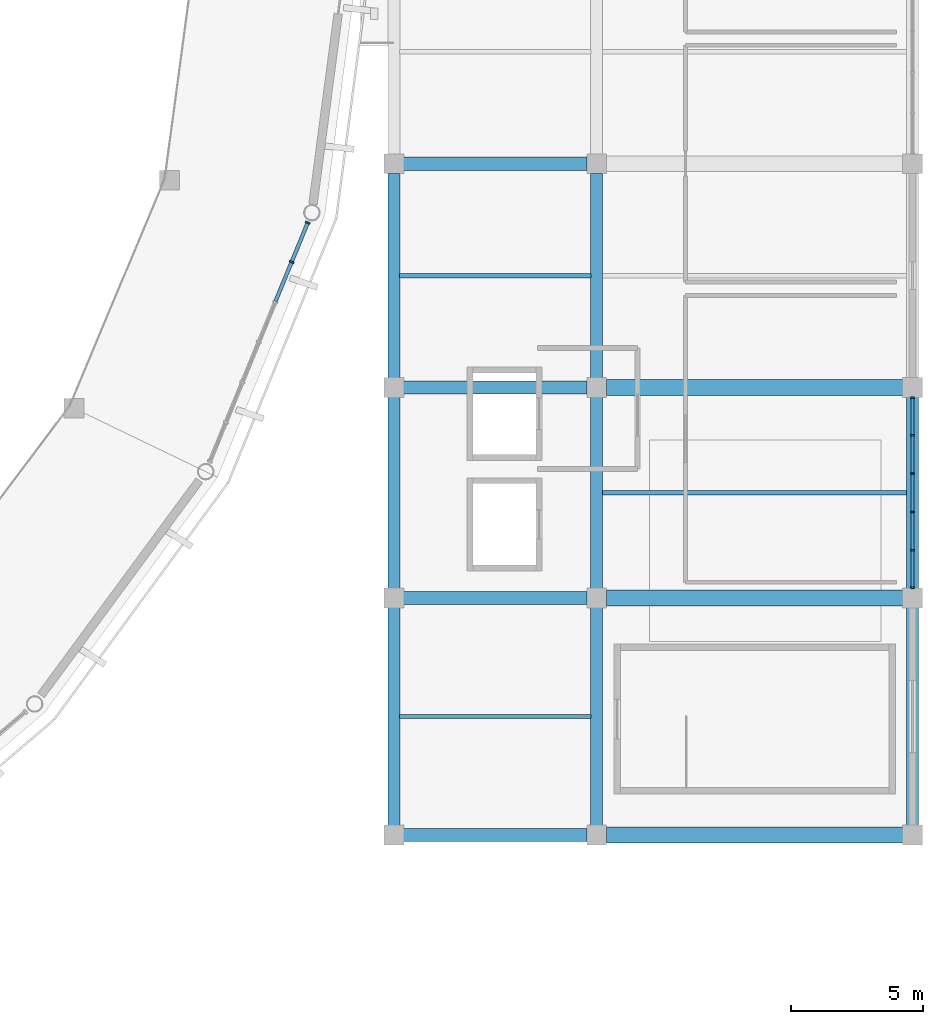
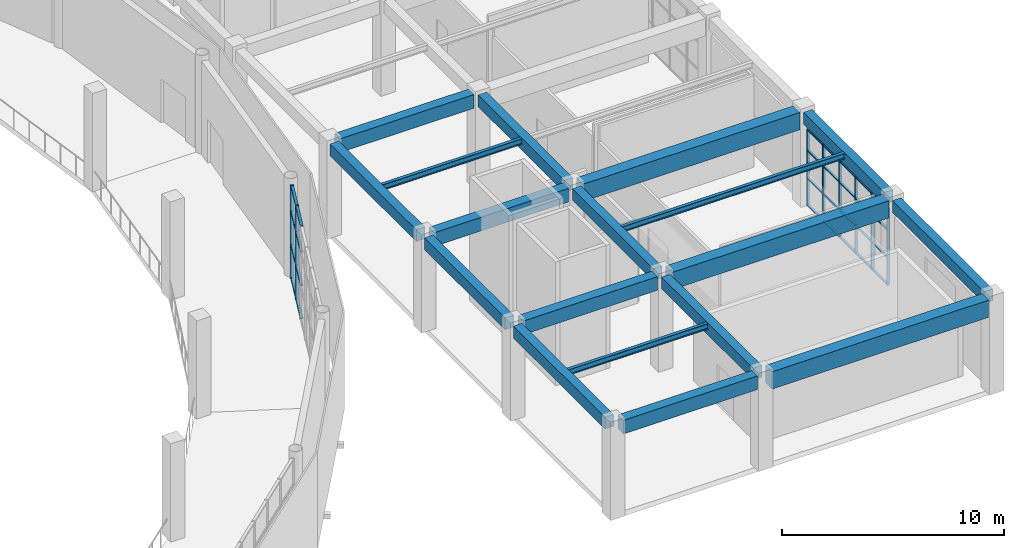
# One storey, part 21 of 40: 36 members, 18 beams, 2 elements without a shape of their own.
"""IFC4 building model written with IfcOpenShell, lengths in metres."""

from ifc_helpers import new_model, si_unit, direction, frame, origin, origin_2d, place, context, subcontext, project, spatial, rectangle, i_section, extrude, material, material_profile, profile_set, type_object, element, aggregate, save


model = new_model("IFC4")

# Units and contexts
model_context = context("Model", 3, precision=1e-05, world=origin(), true_north=direction((0.0, 1.0)))
body_context = subcontext(model_context, "Body", "Model", "MODEL_VIEW")
ifc_project = project(units=[si_unit("LENGTHUNIT", "METRE"), si_unit("AREAUNIT", "SQUARE_METRE"), si_unit("VOLUMEUNIT", "CUBIC_METRE"), si_unit("PLANEANGLEUNIT", "RADIAN"), si_unit("MASSUNIT", "GRAM", prefix="KILO")], contexts=[model_context])

# Site, building, storey
site_placement = place(None, origin())
site = spatial("IfcSite", under=ifc_project, at=site_placement, CompositionType="ELEMENT")
building_placement = place(site_placement, origin())
building = spatial("IfcBuilding", under=site, at=building_placement, Name="Cuetzalor Civic Arena", CompositionType="ELEMENT")
storey_placement = place(building_placement, frame((0.0, 0.0, 26.39990234375)))
storey = spatial("IfcBuildingStorey", under=building, at=storey_placement, Name="L05", CompositionType="ELEMENT", Elevation=26.39990234375)

# Beams
ifc_material_1 = material(Name="Concrete C40/50", Category="concrete")
ifc_material_profile_1 = material_profile(ifc_material_1, rectangle(XDim=0.5, YDim=0.75, at=origin_2d()), Name="RC 500x750")
ifc_profile_set_1 = profile_set([ifc_material_profile_1], Name="Concrete C40/50")
beam_type_1 = type_object("IfcBeamType", Name="ConcreteFrameBeam_500x750", PredefinedType="BEAM", material=ifc_profile_set_1)
for number, where, z_axis, x_axis, name in (
    (1, (56.6650390625, -34.0, 4.80517578125), (1.0, 0.0, 0.0), (0.0, 1.0, 0.0), "Frame Girder V4E-L05-X1244"),
    (2, (56.6650390625, -25.0, 4.80517578125), (1.0, 0.0, 0.0), (0.0, 1.0, 0.0), "Frame Girder V4E-L05-X1246"),
    (3, (56.6650390625, -17.0, 4.80517578125), (1.0, 0.0, 0.0), (0.0, 1.0, 0.0), "Frame Girder V4E-L05-X1248"),
    (4, (56.6650390625, -8.5, 4.80517578125), (1.0, 0.0, 0.0), (0.0, 1.0, 0.0), "Frame Girder V4E-L05-X1250"),
):
    element("IfcBeam", number, at=place(storey_placement, frame(where, z_axis=z_axis, x_axis=x_axis)), inside=storey, type_object=beam_type_1, Name=name, PredefinedType="BEAM", context=body_context, shape_type="SweptSolid", body=[
        extrude(rectangle(XDim=0.5, YDim=0.75, at=origin_2d()), origin(), (0.0, 0.0, 1.0), 6.969970703125),
    ])
ifc_material_2 = material(Name="Concrete C40/50", Category="concrete")
ifc_material_profile_2 = material_profile(ifc_material_2, rectangle(XDim=0.60009765625, YDim=0.949951171875, at=origin_2d()), Name="RC 600x950")
ifc_profile_set_2 = profile_set([ifc_material_profile_2], Name="Concrete C40/50")
beam_type_2 = type_object("IfcBeamType", Name="ConcreteFrameBeam_600x950", PredefinedType="BEAM", material=ifc_profile_set_2)
for number, where, z_axis, x_axis, name in (
    (5, (64.364990234375, -34.0, 4.705078125), (1.0, 0.0, 0.0), (0.0, 1.0, 0.0), "Frame Girder V4E-L05-X1245"),
    (6, (64.364990234375, -25.0, 4.705078125), (1.0, 0.0, 0.0), (0.0, 1.0, 0.0), "Frame Girder V4E-L05-X1247"),
    (7, (64.364990234375, -17.0, 4.705078125), (1.0, 0.0, 0.0), (0.0, 1.0, 0.0), "Frame Girder V4E-L05-X1249"),
):
    element("IfcBeam", number, at=place(storey_placement, frame(where, z_axis=z_axis, x_axis=x_axis)), inside=storey, type_object=beam_type_2, Name=name, PredefinedType="BEAM", context=body_context, shape_type="SweptSolid", body=[
        extrude(rectangle(XDim=0.60009765625, YDim=0.949951171875, at=origin_2d()), origin(), (0.0, 0.0, 1.0), 11.27001953125),
    ])
ifc_material_3 = material(Name="Concrete C40/50", Category="concrete")
ifc_material_profile_3 = material_profile(ifc_material_3, rectangle(XDim=0.449951171875, YDim=0.64990234375, at=origin_2d()), Name="RC 450x650")
ifc_profile_set_3 = profile_set([ifc_material_profile_3], Name="Concrete C40/50")
beam_type_3 = type_object("IfcBeamType", Name="ConcreteTieBeam_450x650", PredefinedType="BEAM", material=ifc_profile_set_3)
beam_1_placement = place(storey_placement, frame((56.300048828125, -33.635009765625, 4.85498046875), z_axis=(0.0, 1.0, 0.0), x_axis=(-1.0, 0.0, 0.0)))
element("IfcBeam", 8, at=beam_1_placement, inside=storey, type_object=beam_type_3, Name="Frame Girder V4E-L05-Y1260", PredefinedType="BEAM", context=body_context, shape_type="SweptSolid", body=[
    extrude(rectangle(XDim=0.449951171875, YDim=0.64990234375, at=origin_2d()), origin(), (0.0, 0.0, 1.0), 8.27001953125),
])
beam_2_placement = place(storey_placement, frame((56.300048828125, -24.635009765625, 4.85498046875), z_axis=(0.0, 1.0, 0.0), x_axis=(-1.0, 0.0, 0.0)))
element("IfcBeam", 9, at=beam_2_placement, inside=storey, type_object=beam_type_3, Name="Frame Girder V4E-L05-Y1261", PredefinedType="BEAM", context=body_context, shape_type="SweptSolid", body=[
    extrude(rectangle(XDim=0.449951171875, YDim=0.64990234375, at=origin_2d()), origin(), (0.0, 0.0, 1.0), 7.27001953125),
])
beam_3_placement = place(storey_placement, frame((56.300048828125, -16.635009765625, 4.85498046875), z_axis=(0.0, 1.0, 0.0), x_axis=(-1.0, 0.0, 0.0)))
element("IfcBeam", 10, at=beam_3_placement, inside=storey, type_object=beam_type_3, Name="Frame Girder V4E-L05-Y1262", PredefinedType="BEAM", context=body_context, shape_type="SweptSolid", body=[
    extrude(rectangle(XDim=0.449951171875, YDim=0.64990234375, at=origin_2d()), origin(), (0.0, 0.0, 1.0), 7.77001953125),
])
beam_4_placement = place(storey_placement, frame((64.0, -33.635009765625, 4.85498046875), z_axis=(0.0, 1.0, 0.0), x_axis=(-1.0, 0.0, 0.0)))
element("IfcBeam", 11, at=beam_4_placement, inside=storey, type_object=beam_type_3, Name="Frame Girder V4E-L05-Y1267", PredefinedType="BEAM", context=body_context, shape_type="SweptSolid", body=[
    extrude(rectangle(XDim=0.449951171875, YDim=0.64990234375, at=origin_2d()), origin(), (0.0, 0.0, 1.0), 8.27001953125),
])
beam_5_placement = place(storey_placement, frame((64.0, -24.635009765625, 4.85498046875), z_axis=(0.0, 1.0, 0.0), x_axis=(-1.0, 0.0, 0.0)))
element("IfcBeam", 12, at=beam_5_placement, inside=storey, type_object=beam_type_3, Name="Frame Girder V4E-L05-Y1268", PredefinedType="BEAM", context=body_context, shape_type="SweptSolid", body=[
    extrude(rectangle(XDim=0.449951171875, YDim=0.64990234375, at=origin_2d()), origin(), (0.0, 0.0, 1.0), 7.27001953125),
])
beam_6_placement = place(storey_placement, frame((64.0, -16.635009765625, 4.85498046875), z_axis=(0.0, 1.0, 0.0), x_axis=(-1.0, 0.0, 0.0)))
element("IfcBeam", 13, at=beam_6_placement, inside=storey, type_object=beam_type_3, Name="Frame Girder V4E-L05-Y1269", PredefinedType="BEAM", context=body_context, shape_type="SweptSolid", body=[
    extrude(rectangle(XDim=0.449951171875, YDim=0.64990234375, at=origin_2d()), origin(), (0.0, 0.0, 1.0), 7.77001953125),
])
beam_7_placement = place(storey_placement, frame((76.0, -33.635009765625, 4.85498046875), z_axis=(0.0, 1.0, 0.0), x_axis=(-1.0, 0.0, 0.0)))
element("IfcBeam", 14, at=beam_7_placement, inside=storey, type_object=beam_type_3, Name="Frame Girder V4E-L05-Y1274", PredefinedType="BEAM", context=body_context, shape_type="SweptSolid", body=[
    extrude(rectangle(XDim=0.449951171875, YDim=0.64990234375, at=origin_2d()), origin(), (0.0, 0.0, 1.0), 8.27001953125),
])
beam_8_placement = place(storey_placement, frame((76.0, -24.635009765625, 4.85498046875), z_axis=(0.0, 1.0, 0.0), x_axis=(-1.0, 0.0, 0.0)))
element("IfcBeam", 15, at=beam_8_placement, inside=storey, type_object=beam_type_3, Name="Frame Girder V4E-L05-Y1275", PredefinedType="BEAM", context=body_context, shape_type="SweptSolid", body=[
    extrude(rectangle(XDim=0.449951171875, YDim=0.64990234375, at=origin_2d()), origin(), (0.0, 0.0, 1.0), 7.27001953125),
])

# Curtain wall, members
ifc_material_4 = material(Name="Anodised dark bronze aluminium and low-E solar glass", Category="aluminium")
curtain_wall_type_1 = type_object("IfcCurtainWallType", Name="UnitisedCW_7300x4200", PredefinedType="USERDEFINED", material=ifc_material_4)
curtain_wall_1_placement = place(storey_placement, origin())
curtain_wall_1 = element("IfcCurtainWall", 16, at=curtain_wall_1_placement, inside=storey, type_object=curtain_wall_type_1, Name="V4E Media Broadcast Curtain Wall L05-154", ObjectType="UNITISED CURTAIN WALL", PredefinedType="USERDEFINED")
ifc_material_5 = material(Name="Anodised dark bronze aluminium", Category="aluminium")
ifc_material_profile_4 = material_profile(ifc_material_5, rectangle(XDim=0.06494140625, YDim=0.14990234375, at=origin_2d()), Name="ALU MULLION 65x150")
ifc_profile_set_4 = profile_set([ifc_material_profile_4], Name="Anodised dark bronze aluminium")
member_type_1 = type_object("IfcMemberType", Name="CurtainWallMullion_60x150", PredefinedType="MULLION", material=ifc_profile_set_4)
member_1_placement = place(storey_placement, frame((76.0, -17.389404296875, 0.0), z_axis=(0.0, 0.0, 1.0), x_axis=(0.0, -1.0, 0.0)))
member_1 = element("IfcMember", 17, at=member_1_placement, type_object=member_type_1, Name="CW-49 mullion 1", PredefinedType="MULLION", context=body_context, shape_type="SweptSolid", body=[
    extrude(rectangle(XDim=0.06494140625, YDim=0.14990234375, at=origin_2d()), origin(), (0.0, 0.0, 1.0), 4.22021484375),
])
member_2_placement = place(storey_placement, frame((76.0, -18.814208984375, 0.0), z_axis=(0.0, 0.0, 1.0), x_axis=(0.0, -1.0, 0.0)))
member_2 = element("IfcMember", 18, at=member_2_placement, type_object=member_type_1, Name="CW-49 mullion 2", PredefinedType="MULLION", context=body_context, shape_type="SweptSolid", body=[
    extrude(rectangle(XDim=0.06494140625, YDim=0.14990234375, at=origin_2d()), origin(), (0.0, 0.0, 1.0), 4.22021484375),
])
member_3_placement = place(storey_placement, frame((76.0, -20.271484375, 0.0), z_axis=(0.0, 0.0, 1.0), x_axis=(0.0, -1.0, 0.0)))
member_3 = element("IfcMember", 19, at=member_3_placement, type_object=member_type_1, Name="CW-49 mullion 3", PredefinedType="MULLION", context=body_context, shape_type="SweptSolid", body=[
    extrude(rectangle(XDim=0.06494140625, YDim=0.14990234375, at=origin_2d()), origin(), (0.0, 0.0, 1.0), 4.22021484375),
])
member_4_placement = place(storey_placement, frame((76.0, -21.728515625, 0.0), z_axis=(0.0, 0.0, 1.0), x_axis=(0.0, -1.0, 0.0)))
member_4 = element("IfcMember", 20, at=member_4_placement, type_object=member_type_1, Name="CW-49 mullion 4", PredefinedType="MULLION", context=body_context, shape_type="SweptSolid", body=[
    extrude(rectangle(XDim=0.06494140625, YDim=0.14990234375, at=origin_2d()), origin(), (0.0, 0.0, 1.0), 4.22021484375),
])
member_5_placement = place(storey_placement, frame((76.0, -23.185791015625, 0.0), z_axis=(0.0, 0.0, 1.0), x_axis=(0.0, -1.0, 0.0)))
member_5 = element("IfcMember", 21, at=member_5_placement, type_object=member_type_1, Name="CW-49 mullion 5", PredefinedType="MULLION", context=body_context, shape_type="SweptSolid", body=[
    extrude(rectangle(XDim=0.06494140625, YDim=0.14990234375, at=origin_2d()), origin(), (0.0, 0.0, 1.0), 4.22021484375),
])
member_6_placement = place(storey_placement, frame((76.0, -24.610595703125, 0.0), z_axis=(0.0, 0.0, 1.0), x_axis=(0.0, -1.0, 0.0)))
member_6 = element("IfcMember", 22, at=member_6_placement, type_object=member_type_1, Name="CW-49 mullion 6", PredefinedType="MULLION", context=body_context, shape_type="SweptSolid", body=[
    extrude(rectangle(XDim=0.06494140625, YDim=0.14990234375, at=origin_2d()), origin(), (0.0, 0.0, 1.0), 4.22021484375),
])

ifc_material_6 = material(Name="Anodised dark bronze aluminium and low-E solar glass", Category="aluminium")
curtain_wall_type_2 = type_object("IfcCurtainWallType", Name="UnitisedCW_9850x5150", PredefinedType="USERDEFINED", material=ifc_material_6)
curtain_wall_2_placement = place(storey_placement, origin())
curtain_wall_2 = element("IfcCurtainWall", 23, at=curtain_wall_2_placement, inside=storey, type_object=curtain_wall_type_2, Name="Drum Triangle Foyer Curtain Wall L05-080", ObjectType="UNITISED CURTAIN WALL", PredefinedType="USERDEFINED")
ifc_material_7 = material(Name="Anodised dark bronze aluminium", Category="aluminium")
ifc_material_profile_5 = material_profile(ifc_material_7, rectangle(XDim=0.070068359375, YDim=0.179931640625, at=origin_2d()), Name="ALU MULLION 70x180")
ifc_profile_set_5 = profile_set([ifc_material_profile_5], Name="Anodised dark bronze aluminium")
member_type_2 = type_object("IfcMemberType", Name="CurtainWallMullion_65x180", PredefinedType="MULLION", material=ifc_profile_set_5)
member_7_placement = place(storey_placement, frame((53.02490234375, -10.7421875, 0.0), z_axis=(0.0, 0.0, 1.0), x_axis=(-0.379391428583, -0.925236263836, 0.0)))
member_7 = element("IfcMember", 24, at=member_7_placement, type_object=member_type_2, Name="CW-23 mullion 1", PredefinedType="MULLION", context=body_context, shape_type="SweptSolid", body=[
    extrude(rectangle(XDim=0.070068359375, YDim=0.179931640625, at=origin_2d()), origin(), (0.0, 0.0, 1.0), 5.135986328125),
])
member_8_placement = place(storey_placement, frame((52.413818359375, -12.232421875, 0.0), z_axis=(0.0, 0.0, 1.0), x_axis=(-0.379391428583, -0.925236263836, 0.0)))
member_8 = element("IfcMember", 25, at=member_8_placement, type_object=member_type_2, Name="CW-23 mullion 2", PredefinedType="MULLION", context=body_context, shape_type="SweptSolid", body=[
    extrude(rectangle(XDim=0.070068359375, YDim=0.179931640625, at=origin_2d()), origin(), (0.0, 0.0, 1.0), 5.135986328125),
])

# Member
ifc_material_8 = material(Name="Anodised dark bronze aluminium", Category="aluminium")
ifc_material_profile_6 = material_profile(ifc_material_8, rectangle(XDim=0.1201171875, YDim=0.06494140625, at=origin_2d()), Name="ALU TRANSOM 65x120")
ifc_profile_set_6 = profile_set([ifc_material_profile_6], Name="Anodised dark bronze aluminium")
member_type_3 = type_object("IfcMemberType", Name="CurtainWallTransom_60x120", PredefinedType="USERDEFINED", material=ifc_profile_set_6)
member_9_placement = place(storey_placement, frame((76.0, -17.422119140625, 0.03271484375), z_axis=(0.0, -1.0, 0.0), x_axis=(1.0, 0.0, 0.0)))
member_9 = element("IfcMember", 26, at=member_9_placement, type_object=member_type_3, Name="CW-49 transom 1.1", ObjectType="TRANSOM", PredefinedType="USERDEFINED", context=body_context, shape_type="SweptSolid", body=[
    extrude(rectangle(XDim=0.1201171875, YDim=0.06494140625, at=origin_2d()), origin(), (0.0, 0.0, 1.0), 1.359619140625),
])

member_10_placement = place(storey_placement, frame((76.0, -17.422119140625, 1.51904296875), z_axis=(0.0, -1.0, 0.0), x_axis=(1.0, 0.0, 0.0)))
member_10 = element("IfcMember", 27, at=member_10_placement, type_object=member_type_3, Name="CW-49 transom 1.2", ObjectType="TRANSOM", PredefinedType="USERDEFINED", context=body_context, shape_type="SweptSolid", body=[
    extrude(rectangle(XDim=0.1201171875, YDim=0.06494140625, at=origin_2d()), origin(), (0.0, 0.0, 1.0), 1.359619140625),
])

member_11_placement = place(storey_placement, frame((76.0, -17.422119140625, 3.0380859375), z_axis=(0.0, -1.0, 0.0), x_axis=(1.0, 0.0, 0.0)))
member_11 = element("IfcMember", 28, at=member_11_placement, type_object=member_type_3, Name="CW-49 transom 1.3", ObjectType="TRANSOM", PredefinedType="USERDEFINED", context=body_context, shape_type="SweptSolid", body=[
    extrude(rectangle(XDim=0.1201171875, YDim=0.06494140625, at=origin_2d()), origin(), (0.0, 0.0, 1.0), 1.359619140625),
])

member_12_placement = place(storey_placement, frame((76.0, -17.422119140625, 4.1875), z_axis=(0.0, -1.0, 0.0), x_axis=(1.0, 0.0, 0.0)))
member_12 = element("IfcMember", 29, at=member_12_placement, type_object=member_type_3, Name="CW-49 transom 1.4", ObjectType="TRANSOM", PredefinedType="USERDEFINED", context=body_context, shape_type="SweptSolid", body=[
    extrude(rectangle(XDim=0.1201171875, YDim=0.06494140625, at=origin_2d()), origin(), (0.0, 0.0, 1.0), 1.359619140625),
])

member_13_placement = place(storey_placement, frame((76.0, -18.8466796875, 0.03271484375), z_axis=(0.0, -1.0, 0.0), x_axis=(1.0, 0.0, 0.0)))
member_13 = element("IfcMember", 30, at=member_13_placement, type_object=member_type_3, Name="CW-49 transom 2.1", ObjectType="TRANSOM", PredefinedType="USERDEFINED", context=body_context, shape_type="SweptSolid", body=[
    extrude(rectangle(XDim=0.1201171875, YDim=0.06494140625, at=origin_2d()), origin(), (0.0, 0.0, 1.0), 1.392333984375),
])

member_14_placement = place(storey_placement, frame((76.0, -18.8466796875, 1.51904296875), z_axis=(0.0, -1.0, 0.0), x_axis=(1.0, 0.0, 0.0)))
member_14 = element("IfcMember", 31, at=member_14_placement, type_object=member_type_3, Name="CW-49 transom 2.2", ObjectType="TRANSOM", PredefinedType="USERDEFINED", context=body_context, shape_type="SweptSolid", body=[
    extrude(rectangle(XDim=0.1201171875, YDim=0.06494140625, at=origin_2d()), origin(), (0.0, 0.0, 1.0), 1.392333984375),
])

member_15_placement = place(storey_placement, frame((76.0, -18.8466796875, 3.0380859375), z_axis=(0.0, -1.0, 0.0), x_axis=(1.0, 0.0, 0.0)))
member_15 = element("IfcMember", 32, at=member_15_placement, type_object=member_type_3, Name="CW-49 transom 2.3", ObjectType="TRANSOM", PredefinedType="USERDEFINED", context=body_context, shape_type="SweptSolid", body=[
    extrude(rectangle(XDim=0.1201171875, YDim=0.06494140625, at=origin_2d()), origin(), (0.0, 0.0, 1.0), 1.392333984375),
])

member_16_placement = place(storey_placement, frame((76.0, -18.8466796875, 4.1875), z_axis=(0.0, -1.0, 0.0), x_axis=(1.0, 0.0, 0.0)))
member_16 = element("IfcMember", 33, at=member_16_placement, type_object=member_type_3, Name="CW-49 transom 2.4", ObjectType="TRANSOM", PredefinedType="USERDEFINED", context=body_context, shape_type="SweptSolid", body=[
    extrude(rectangle(XDim=0.1201171875, YDim=0.06494140625, at=origin_2d()), origin(), (0.0, 0.0, 1.0), 1.392333984375),
])

member_17_placement = place(storey_placement, frame((76.0, -20.303955078125, 0.03271484375), z_axis=(0.0, -1.0, 0.0), x_axis=(1.0, 0.0, 0.0)))
member_17 = element("IfcMember", 34, at=member_17_placement, type_object=member_type_3, Name="CW-49 transom 3.1", ObjectType="TRANSOM", PredefinedType="USERDEFINED", context=body_context, shape_type="SweptSolid", body=[
    extrude(rectangle(XDim=0.1201171875, YDim=0.06494140625, at=origin_2d()), origin(), (0.0, 0.0, 1.0), 1.39208984375),
])

member_18_placement = place(storey_placement, frame((76.0, -20.303955078125, 1.51904296875), z_axis=(0.0, -1.0, 0.0), x_axis=(1.0, 0.0, 0.0)))
member_18 = element("IfcMember", 35, at=member_18_placement, type_object=member_type_3, Name="CW-49 transom 3.2", ObjectType="TRANSOM", PredefinedType="USERDEFINED", context=body_context, shape_type="SweptSolid", body=[
    extrude(rectangle(XDim=0.1201171875, YDim=0.06494140625, at=origin_2d()), origin(), (0.0, 0.0, 1.0), 1.39208984375),
])

member_19_placement = place(storey_placement, frame((76.0, -20.303955078125, 3.0380859375), z_axis=(0.0, -1.0, 0.0), x_axis=(1.0, 0.0, 0.0)))
member_19 = element("IfcMember", 36, at=member_19_placement, type_object=member_type_3, Name="CW-49 transom 3.3", ObjectType="TRANSOM", PredefinedType="USERDEFINED", context=body_context, shape_type="SweptSolid", body=[
    extrude(rectangle(XDim=0.1201171875, YDim=0.06494140625, at=origin_2d()), origin(), (0.0, 0.0, 1.0), 1.39208984375),
])

member_20_placement = place(storey_placement, frame((76.0, -20.303955078125, 4.1875), z_axis=(0.0, -1.0, 0.0), x_axis=(1.0, 0.0, 0.0)))
member_20 = element("IfcMember", 37, at=member_20_placement, type_object=member_type_3, Name="CW-49 transom 3.4", ObjectType="TRANSOM", PredefinedType="USERDEFINED", context=body_context, shape_type="SweptSolid", body=[
    extrude(rectangle(XDim=0.1201171875, YDim=0.06494140625, at=origin_2d()), origin(), (0.0, 0.0, 1.0), 1.39208984375),
])

member_21_placement = place(storey_placement, frame((76.0, -21.760986328125, 0.03271484375), z_axis=(0.0, -1.0, 0.0), x_axis=(1.0, 0.0, 0.0)))
member_21 = element("IfcMember", 38, at=member_21_placement, type_object=member_type_3, Name="CW-49 transom 4.1", ObjectType="TRANSOM", PredefinedType="USERDEFINED", context=body_context, shape_type="SweptSolid", body=[
    extrude(rectangle(XDim=0.1201171875, YDim=0.06494140625, at=origin_2d()), origin(), (0.0, 0.0, 1.0), 1.392333984375),
])

member_22_placement = place(storey_placement, frame((76.0, -21.760986328125, 1.51904296875), z_axis=(0.0, -1.0, 0.0), x_axis=(1.0, 0.0, 0.0)))
member_22 = element("IfcMember", 39, at=member_22_placement, type_object=member_type_3, Name="CW-49 transom 4.2", ObjectType="TRANSOM", PredefinedType="USERDEFINED", context=body_context, shape_type="SweptSolid", body=[
    extrude(rectangle(XDim=0.1201171875, YDim=0.06494140625, at=origin_2d()), origin(), (0.0, 0.0, 1.0), 1.392333984375),
])

member_23_placement = place(storey_placement, frame((76.0, -21.760986328125, 3.0380859375), z_axis=(0.0, -1.0, 0.0), x_axis=(1.0, 0.0, 0.0)))
member_23 = element("IfcMember", 40, at=member_23_placement, type_object=member_type_3, Name="CW-49 transom 4.3", ObjectType="TRANSOM", PredefinedType="USERDEFINED", context=body_context, shape_type="SweptSolid", body=[
    extrude(rectangle(XDim=0.1201171875, YDim=0.06494140625, at=origin_2d()), origin(), (0.0, 0.0, 1.0), 1.392333984375),
])

member_24_placement = place(storey_placement, frame((76.0, -21.760986328125, 4.1875), z_axis=(0.0, -1.0, 0.0), x_axis=(1.0, 0.0, 0.0)))
member_24 = element("IfcMember", 41, at=member_24_placement, type_object=member_type_3, Name="CW-49 transom 4.4", ObjectType="TRANSOM", PredefinedType="USERDEFINED", context=body_context, shape_type="SweptSolid", body=[
    extrude(rectangle(XDim=0.1201171875, YDim=0.06494140625, at=origin_2d()), origin(), (0.0, 0.0, 1.0), 1.392333984375),
])

member_25_placement = place(storey_placement, frame((76.0, -23.21826171875, 0.03271484375), z_axis=(0.0, -1.0, 0.0), x_axis=(1.0, 0.0, 0.0)))
member_25 = element("IfcMember", 42, at=member_25_placement, type_object=member_type_3, Name="CW-49 transom 5.1", ObjectType="TRANSOM", PredefinedType="USERDEFINED", context=body_context, shape_type="SweptSolid", body=[
    extrude(rectangle(XDim=0.1201171875, YDim=0.06494140625, at=origin_2d()), origin(), (0.0, 0.0, 1.0), 1.359619140625),
])

member_26_placement = place(storey_placement, frame((76.0, -23.21826171875, 1.51904296875), z_axis=(0.0, -1.0, 0.0), x_axis=(1.0, 0.0, 0.0)))
member_26 = element("IfcMember", 43, at=member_26_placement, type_object=member_type_3, Name="CW-49 transom 5.2", ObjectType="TRANSOM", PredefinedType="USERDEFINED", context=body_context, shape_type="SweptSolid", body=[
    extrude(rectangle(XDim=0.1201171875, YDim=0.06494140625, at=origin_2d()), origin(), (0.0, 0.0, 1.0), 1.359619140625),
])

member_27_placement = place(storey_placement, frame((76.0, -23.21826171875, 3.0380859375), z_axis=(0.0, -1.0, 0.0), x_axis=(1.0, 0.0, 0.0)))
member_27 = element("IfcMember", 44, at=member_27_placement, type_object=member_type_3, Name="CW-49 transom 5.3", ObjectType="TRANSOM", PredefinedType="USERDEFINED", context=body_context, shape_type="SweptSolid", body=[
    extrude(rectangle(XDim=0.1201171875, YDim=0.06494140625, at=origin_2d()), origin(), (0.0, 0.0, 1.0), 1.359619140625),
])

member_28_placement = place(storey_placement, frame((76.0, -23.21826171875, 4.1875), z_axis=(0.0, -1.0, 0.0), x_axis=(1.0, 0.0, 0.0)))
member_28 = element("IfcMember", 45, at=member_28_placement, type_object=member_type_3, Name="CW-49 transom 5.4", ObjectType="TRANSOM", PredefinedType="USERDEFINED", context=body_context, shape_type="SweptSolid", body=[
    extrude(rectangle(XDim=0.1201171875, YDim=0.06494140625, at=origin_2d()), origin(), (0.0, 0.0, 1.0), 1.359619140625),
])

aggregate(curtain_wall_1, [member_1, member_2, member_3, member_4, member_5, member_6, member_9, member_10, member_11, member_12, member_13, member_14, member_15, member_16, member_17, member_18, member_19, member_20, member_21, member_22, member_23, member_24, member_25, member_26, member_27, member_28])

ifc_material_9 = material(Name="Anodised dark bronze aluminium", Category="aluminium")
ifc_material_profile_7 = material_profile(ifc_material_9, rectangle(XDim=0.139892578125, YDim=0.070068359375, at=origin_2d()), Name="ALU TRANSOM 70x140")
ifc_profile_set_7 = profile_set([ifc_material_profile_7], Name="Anodised dark bronze aluminium")
member_type_4 = type_object("IfcMemberType", Name="CurtainWallTransom_65x140", PredefinedType="USERDEFINED", material=ifc_profile_set_7)
member_29_placement = place(storey_placement, frame((53.01171875, -10.774658203125, 0.03515625), z_axis=(-0.379490282, -0.925195723005, 0.0), x_axis=(0.925195723005, -0.379490282, 0.0)))
member_29 = element("IfcMember", 46, at=member_29_placement, type_object=member_type_4, Name="CW-23 transom 1.1", ObjectType="TRANSOM", PredefinedType="USERDEFINED", context=body_context, shape_type="SweptSolid", body=[
    extrude(rectangle(XDim=0.139892578125, YDim=0.070068359375, at=origin_2d()), origin(), (0.0, 0.0, 1.0), 1.540771484375),
])

member_30_placement = place(storey_placement, frame((53.01171875, -10.774658203125, 1.84912109375), z_axis=(-0.379490282, -0.925195723005, 0.0), x_axis=(0.925195723005, -0.379490282, 0.0)))
member_30 = element("IfcMember", 47, at=member_30_placement, type_object=member_type_4, Name="CW-23 transom 1.2", ObjectType="TRANSOM", PredefinedType="USERDEFINED", context=body_context, shape_type="SweptSolid", body=[
    extrude(rectangle(XDim=0.139892578125, YDim=0.070068359375, at=origin_2d()), origin(), (0.0, 0.0, 1.0), 1.540771484375),
])

member_31_placement = place(storey_placement, frame((53.01171875, -10.774658203125, 3.697998046875), z_axis=(-0.379490282, -0.925195723005, 0.0), x_axis=(0.925195723005, -0.379490282, 0.0)))
member_31 = element("IfcMember", 48, at=member_31_placement, type_object=member_type_4, Name="CW-23 transom 1.3", ObjectType="TRANSOM", PredefinedType="USERDEFINED", context=body_context, shape_type="SweptSolid", body=[
    extrude(rectangle(XDim=0.139892578125, YDim=0.070068359375, at=origin_2d()), origin(), (0.0, 0.0, 1.0), 1.540771484375),
])

member_32_placement = place(storey_placement, frame((53.01171875, -10.774658203125, 5.10107421875), z_axis=(-0.379490282, -0.925195723005, 0.0), x_axis=(0.925195723005, -0.379490282, 0.0)))
member_32 = element("IfcMember", 49, at=member_32_placement, type_object=member_type_4, Name="CW-23 transom 1.4", ObjectType="TRANSOM", PredefinedType="USERDEFINED", context=body_context, shape_type="SweptSolid", body=[
    extrude(rectangle(XDim=0.139892578125, YDim=0.070068359375, at=origin_2d()), origin(), (0.0, 0.0, 1.0), 1.540771484375),
])

member_33_placement = place(storey_placement, frame((52.400634765625, -12.264892578125, 0.03515625), z_axis=(-0.37947133734, -0.925203493367, 0.0), x_axis=(0.925203493367, -0.37947133734, 0.0)))
member_33 = element("IfcMember", 50, at=member_33_placement, type_object=member_type_4, Name="CW-23 transom 2.1", ObjectType="TRANSOM", PredefinedType="USERDEFINED", context=body_context, shape_type="SweptSolid", body=[
    extrude(rectangle(XDim=0.139892578125, YDim=0.070068359375, at=origin_2d()), origin(), (0.0, 0.0, 1.0), 1.57568359375),
])

member_34_placement = place(storey_placement, frame((52.400634765625, -12.264892578125, 1.84912109375), z_axis=(-0.37947133734, -0.925203493367, 0.0), x_axis=(0.925203493367, -0.37947133734, 0.0)))
member_34 = element("IfcMember", 51, at=member_34_placement, type_object=member_type_4, Name="CW-23 transom 2.2", ObjectType="TRANSOM", PredefinedType="USERDEFINED", context=body_context, shape_type="SweptSolid", body=[
    extrude(rectangle(XDim=0.139892578125, YDim=0.070068359375, at=origin_2d()), origin(), (0.0, 0.0, 1.0), 1.57568359375),
])

member_35_placement = place(storey_placement, frame((52.400634765625, -12.264892578125, 3.697998046875), z_axis=(-0.37947133734, -0.925203493367, 0.0), x_axis=(0.925203493367, -0.37947133734, 0.0)))
member_35 = element("IfcMember", 52, at=member_35_placement, type_object=member_type_4, Name="CW-23 transom 2.3", ObjectType="TRANSOM", PredefinedType="USERDEFINED", context=body_context, shape_type="SweptSolid", body=[
    extrude(rectangle(XDim=0.139892578125, YDim=0.070068359375, at=origin_2d()), origin(), (0.0, 0.0, 1.0), 1.57568359375),
])

member_36_placement = place(storey_placement, frame((52.400634765625, -12.264892578125, 5.10107421875), z_axis=(-0.37947133734, -0.925203493367, 0.0), x_axis=(0.925203493367, -0.37947133734, 0.0)))
member_36 = element("IfcMember", 53, at=member_36_placement, type_object=member_type_4, Name="CW-23 transom 2.4", ObjectType="TRANSOM", PredefinedType="USERDEFINED", context=body_context, shape_type="SweptSolid", body=[
    extrude(rectangle(XDim=0.139892578125, YDim=0.070068359375, at=origin_2d()), origin(), (0.0, 0.0, 1.0), 1.57568359375),
])

aggregate(curtain_wall_2, [member_7, member_8, member_29, member_30, member_31, member_32, member_33, member_34, member_35, member_36])

# Beams
ifc_material_10 = material(Name="Steel S355", Category="steel")
ifc_material_profile_8 = material_profile(ifc_material_10, i_section(OverallWidth=0.166015625, OverallDepth=0.31298828125, WebThickness=0.006591796875, FlangeThickness=0.01123046875, at=origin_2d()), Name="W310x45")
ifc_profile_set_8 = profile_set([ifc_material_profile_8], Name="Steel S355")
beam_type_4 = type_object("IfcBeamType", Name="SecondaryRoofJoist_W310", PredefinedType="JOIST", material=ifc_profile_set_8)
for number, where, z_axis, x_axis, name in (
    (54, (56.51708984375, -29.5, 5.023681640625), (1.0, 0.0, 0.0), (0.0, 1.0, 0.0), "Secondary Floor Joist V4E-L05-0389"),
    (55, (56.51708984375, -12.75, 5.023681640625), (1.0, 0.0, 0.0), (0.0, 1.0, 0.0), "Secondary Floor Joist V4E-L05-0390"),
):
    element("IfcBeam", number, at=place(storey_placement, frame(where, z_axis=z_axis, x_axis=x_axis)), inside=storey, type_object=beam_type_4, Name=name, PredefinedType="JOIST", context=body_context, shape_type="SweptSolid", body=[
        extrude(i_section(OverallWidth=0.166015625, OverallDepth=0.31298828125, WebThickness=0.006591796875, FlangeThickness=0.01123046875, at=origin_2d()), origin(), (0.0, 0.0, 1.0), 7.265869140625),
    ])
beam_9_placement = place(storey_placement, frame((64.217041015625, -21.0, 5.023681640625), z_axis=(1.0, 0.0, 0.0), x_axis=(0.0, 1.0, 0.0)))
element("IfcBeam", 56, at=beam_9_placement, inside=storey, type_object=beam_type_4, Name="Secondary Floor Joist V4E-L05-0395", PredefinedType="JOIST", context=body_context, shape_type="SweptSolid", body=[
    extrude(i_section(OverallWidth=0.166015625, OverallDepth=0.31298828125, WebThickness=0.006591796875, FlangeThickness=0.01123046875, at=origin_2d()), origin(), (0.0, 0.0, 1.0), 11.56591796875),
])

save(model, "model.ifc")
